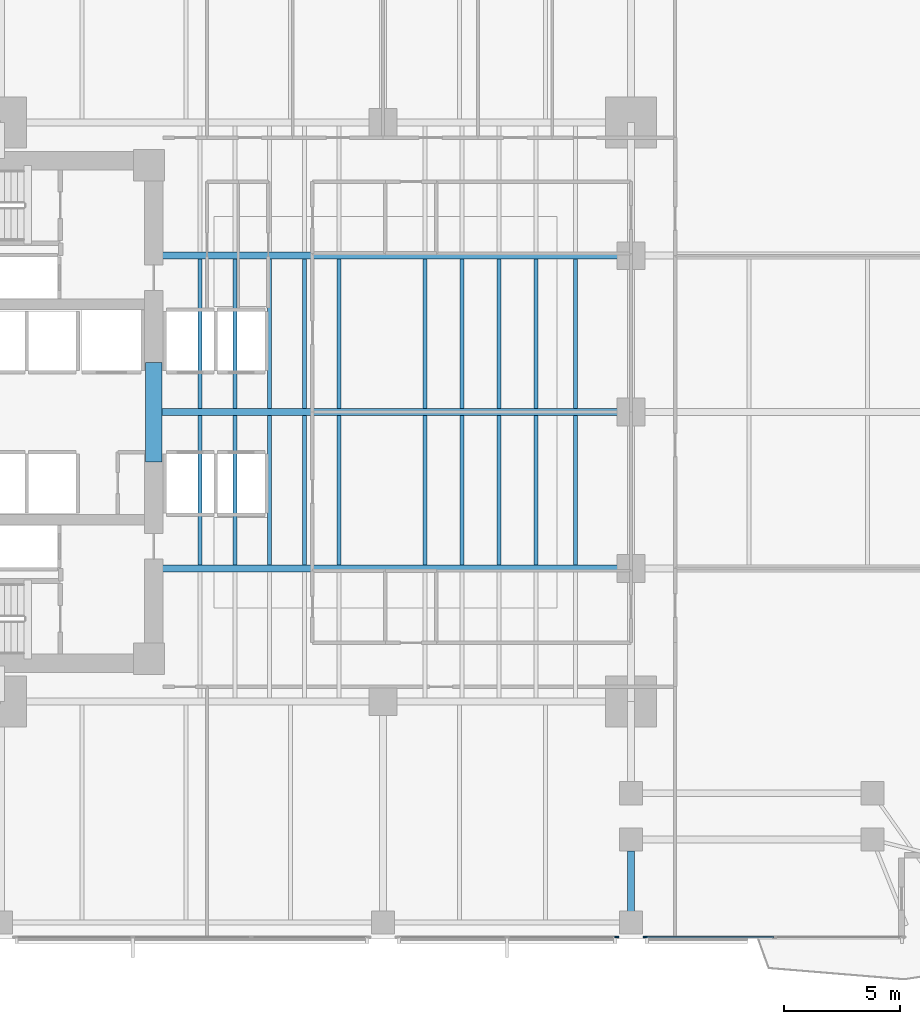
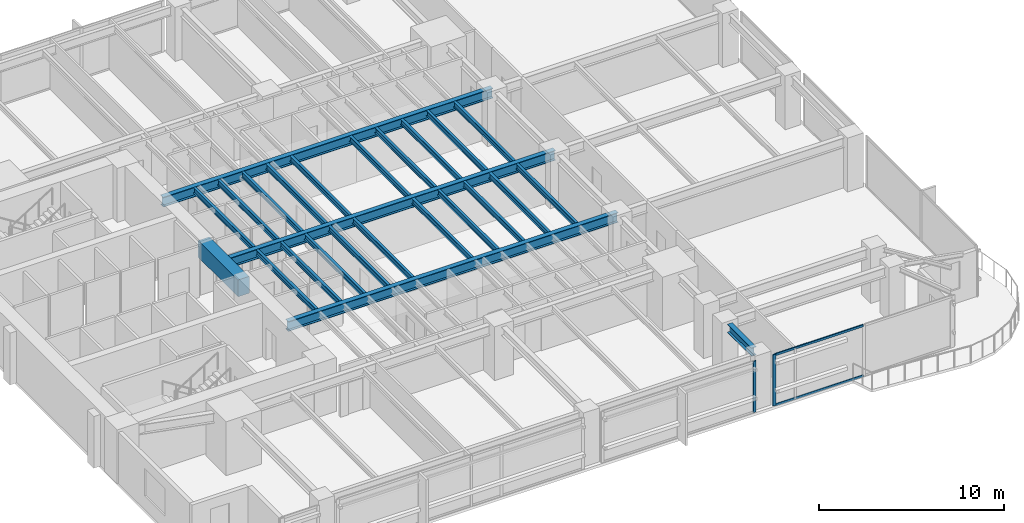
# One storey, part 3 of 15: 25 beams, 4 members, 2 elements without a shape of their own.
"""IFC4 building model written with IfcOpenShell, lengths in metres."""

from ifc_helpers import new_model, si_unit, direction, frame, origin, origin_2d, place, context, subcontext, project, spatial, rectangle, i_section, extrude, material, layer, layer_set, material_profile, profile_set, type_object, element, aggregate, save


model = new_model("IFC4")

# Units and contexts
model_context = context("Model", 3, precision=1e-05, world=origin(), true_north=direction((0.0, 1.0)))
body_context = subcontext(model_context, "Body", "Model", "MODEL_VIEW")
ifc_project = project(units=[si_unit("LENGTHUNIT", "METRE"), si_unit("AREAUNIT", "SQUARE_METRE"), si_unit("VOLUMEUNIT", "CUBIC_METRE"), si_unit("PLANEANGLEUNIT", "RADIAN"), si_unit("MASSUNIT", "GRAM", prefix="KILO")], contexts=[model_context])

# Site, building, storey
site_placement = place(None, origin())
site = spatial("IfcSite", under=ifc_project, at=site_placement, CompositionType="ELEMENT")
building_placement = place(site_placement, origin())
building = spatial("IfcBuilding", under=site, at=building_placement, Name="Kinhvarn Gate Tower", CompositionType="ELEMENT")
storey_placement = place(building_placement, frame((0.0, 0.0, 54.0)))
storey = spatial("IfcBuildingStorey", under=building, at=storey_placement, Name="L13", CompositionType="ELEMENT", Elevation=54.0)

# Beam
ifc_material_1 = material(Name="Concrete C70/85", Category="concrete")
ifc_material_profile_1 = material_profile(ifc_material_1, rectangle(XDim=0.699951171875, YDim=1.10009765625, at=origin_2d()), Name="RC 700x1100")
ifc_profile_set_1 = profile_set([ifc_material_profile_1], Name="Concrete C70/85")
beam_type_1 = type_object("IfcBeamType", Name="BM-CB-1100", PredefinedType="LINTEL", material=ifc_profile_set_1)
beam_1_placement = place(storey_placement, frame((17.60009765625, 23.10009765625, 2.820068359375), z_axis=(0.0, 1.0, 0.0), x_axis=(-1.0, 0.0, 0.0)))
element("IfcBeam", 1, at=beam_1_placement, inside=storey, type_object=beam_type_1, Name="Core East Portal Coupling Beam L13", PredefinedType="LINTEL", context=body_context, shape_type="SweptSolid", body=[
    extrude(rectangle(XDim=0.699951171875, YDim=1.10009765625, at=origin_2d()), origin(), (0.0, 0.0, 1.0), 4.2998046875),
])

# Curtain wall, member
ifc_material_2 = material(Name="Anodised aluminium AW-6063", Category="aluminium")
ifc_layer = layer(ifc_material_2, 0.179931640625)
ifc_layer_set = layer_set([ifc_layer], Name="Anodised aluminium AW-6063")
curtain_wall_type = type_object("IfcCurtainWallType", Name="CW-SYS-2", PredefinedType="NOTDEFINED", material=ifc_layer_set)
curtain_wall_1_placement = place(storey_placement, origin())
curtain_wall_1 = element("IfcCurtainWall", 2, at=curtain_wall_1_placement, inside=storey, type_object=curtain_wall_type, Name="Curtain Wall CW2 (L13)", PredefinedType="NOTDEFINED")
ifc_material_profile_2 = material_profile(ifc_material_2, rectangle(XDim=0.070068359375, YDim=0.179931640625, at=origin_2d()), Name="ALU 70x180")
ifc_profile_set_2 = profile_set([ifc_material_profile_2], Name="Anodised aluminium AW-6063")
member_type_1 = type_object("IfcMemberType", Name="CW-MUL-180", PredefinedType="MULLION", material=ifc_profile_set_2)
member_1_placement = place(storey_placement, frame((37.5849609375, 2.590087890625, 0.0), z_axis=(0.0, 0.0, 1.0), x_axis=(0.0, 1.0, 0.0)))
member_1 = element("IfcMember", 3, at=member_1_placement, type_object=member_type_1, Name="CW2 mullion 3", PredefinedType="MULLION", context=body_context, shape_type="SweptSolid", body=[
    extrude(rectangle(XDim=0.070068359375, YDim=0.179931640625, at=origin_2d()), origin(), (0.0, 0.0, 1.0), 3.3701171875),
])
aggregate(curtain_wall_1, [member_1])

# Curtain wall, members
curtain_wall_2_placement = place(storey_placement, origin())
curtain_wall_2 = element("IfcCurtainWall", 4, at=curtain_wall_2_placement, inside=storey, type_object=curtain_wall_type, Name="Curtain Wall CW2 (L13)", PredefinedType="NOTDEFINED")
member_2_placement = place(storey_placement, frame((38.81494140625, 2.590087890625, 0.0), z_axis=(0.0, 0.0, 1.0), x_axis=(0.0, 1.0, 0.0)))
member_2 = element("IfcMember", 5, at=member_2_placement, type_object=member_type_1, Name="CW2 mullion 1", PredefinedType="MULLION", context=body_context, shape_type="SweptSolid", body=[
    extrude(rectangle(XDim=0.070068359375, YDim=0.179931640625, at=origin_2d()), origin(), (0.0, 0.0, 1.0), 3.3701171875),
])
ifc_material_profile_3 = material_profile(ifc_material_2, rectangle(XDim=0.070068359375, YDim=0.139892578125, at=origin_2d()), Name="ALU 70x140")
ifc_profile_set_3 = profile_set([ifc_material_profile_3], Name="Anodised aluminium AW-6063")
member_type_2 = type_object("IfcMemberType", Name="CW-TRN-140", PredefinedType="USERDEFINED", material=ifc_profile_set_3)
member_3_placement = place(storey_placement, frame((38.85009765625, 2.590087890625, 0.034912109375), z_axis=(1.0, 0.0, 0.0), x_axis=(0.0, 1.0, 0.0)))
member_3 = element("IfcMember", 6, at=member_3_placement, type_object=member_type_2, Name="CW2 transom 1.1", ObjectType="TRANSOM", PredefinedType="USERDEFINED", context=body_context, shape_type="SweptSolid", body=[
    extrude(rectangle(XDim=0.070068359375, YDim=0.139892578125, at=origin_2d()), origin(), (0.0, 0.0, 1.0), 5.5048828125),
])
member_4_placement = place(storey_placement, frame((38.85009765625, 2.590087890625, 3.3349609375), z_axis=(1.0, 0.0, 0.0), x_axis=(0.0, 1.0, 0.0)))
member_4 = element("IfcMember", 7, at=member_4_placement, type_object=member_type_2, Name="CW2 transom 1.2", ObjectType="TRANSOM", PredefinedType="USERDEFINED", context=body_context, shape_type="SweptSolid", body=[
    extrude(rectangle(XDim=0.070068359375, YDim=0.139892578125, at=origin_2d()), origin(), (0.0, 0.0, 1.0), 5.5048828125),
])
aggregate(curtain_wall_2, [member_2, member_3, member_4])

# Beams
ifc_material_3 = material(Name="Steel S355", Category="steel")
ifc_material_profile_4 = material_profile(ifc_material_3, i_section(OverallWidth=0.300048828125, OverallDepth=0.550048828125, WebThickness=0.014892578125, FlangeThickness=0.029052734375, at=origin_2d()), Name="HEB 550")
ifc_profile_set_4 = profile_set([ifc_material_profile_4], Name="Steel S355")
beam_type_2 = type_object("IfcBeamType", Name="STL-HEB550", PredefinedType="BEAM", material=ifc_profile_set_4)
beam_2_placement = place(storey_placement, frame((38.199951171875, 3.705078125, 3.094970703125), z_axis=(0.0, 1.0, 0.0), x_axis=(-1.0, 0.0, 0.0)))
element("IfcBeam", 8, at=beam_2_placement, inside=storey, type_object=beam_type_2, Name="Floor Beam PG-15 (L13 MCE-S-A0)", PredefinedType="BEAM", context=body_context, shape_type="SweptSolid", body=[
    extrude(i_section(OverallWidth=0.300048828125, OverallDepth=0.550048828125, WebThickness=0.014892578125, FlangeThickness=0.029052734375, at=origin_2d()), origin(), (0.0, 0.0, 1.0), 2.60986328125),
])
ifc_material_profile_5 = material_profile(ifc_material_3, i_section(OverallWidth=0.300048828125, OverallDepth=0.64990234375, WebThickness=0.01611328125, FlangeThickness=0.031005859375, at=origin_2d()), Name="HEB 650")
ifc_profile_set_5 = profile_set([ifc_material_profile_5], Name="Steel S355")
beam_type_3 = type_object("IfcBeamType", Name="STL-HEB650", PredefinedType="BEAM", material=ifc_profile_set_5)
beam_3_placement = place(storey_placement, frame((17.64990234375, 18.5, 3.044921875), z_axis=(1.0, 0.0, 0.0), x_axis=(0.0, 1.0, 0.0)))
element("IfcBeam", 9, at=beam_3_placement, inside=storey, type_object=beam_type_3, Name="Floor Beam PG-17 (L13 EW1-Y18)", PredefinedType="BEAM", context=body_context, shape_type="SweptSolid", body=[
    extrude(i_section(OverallWidth=0.300048828125, OverallDepth=0.64990234375, WebThickness=0.01611328125, FlangeThickness=0.031005859375, at=origin_2d()), origin(), (0.0, 0.0, 1.0), 20.550048828125),
])
beam_4_placement = place(storey_placement, frame((17.949951171875, 25.25, 3.044921875), z_axis=(1.0, 0.0, 0.0), x_axis=(0.0, 1.0, 0.0)))
element("IfcBeam", 10, at=beam_4_placement, inside=storey, type_object=beam_type_3, Name="Floor Beam PG-17 (L13 EW1-Y25)", PredefinedType="BEAM", context=body_context, shape_type="SweptSolid", body=[
    extrude(i_section(OverallWidth=0.300048828125, OverallDepth=0.64990234375, WebThickness=0.01611328125, FlangeThickness=0.031005859375, at=origin_2d()), origin(), (0.0, 0.0, 1.0), 20.25),
])
beam_5_placement = place(storey_placement, frame((17.64990234375, 32.0, 3.044921875), z_axis=(1.0, 0.0, 0.0), x_axis=(0.0, 1.0, 0.0)))
element("IfcBeam", 11, at=beam_5_placement, inside=storey, type_object=beam_type_3, Name="Floor Beam PG-17 (L13 EW1-Y32)", PredefinedType="BEAM", context=body_context, shape_type="SweptSolid", body=[
    extrude(i_section(OverallWidth=0.300048828125, OverallDepth=0.64990234375, WebThickness=0.01611328125, FlangeThickness=0.031005859375, at=origin_2d()), origin(), (0.0, 0.0, 1.0), 20.550048828125),
])
ifc_material_profile_6 = material_profile(ifc_material_3, i_section(OverallWidth=0.169921875, OverallDepth=0.360107421875, WebThickness=0.008056640625, FlangeThickness=0.0126953125, at=origin_2d()), Name="IPE 360")
ifc_profile_set_6 = profile_set([ifc_material_profile_6], Name="Steel S355")
beam_type_4 = type_object("IfcBeamType", Name="STL-IPE360", PredefinedType="JOIST", material=ifc_profile_set_6)
for number, where, z_axis, x_axis, name in (
    (12, (19.60009765625, 18.64990234375, 3.18994140625), (0.0, 1.0, 0.0), (-1.0, 0.0, 0.0), "Floor Joist SB-04 (L13 JC-X196-1)"),
    (13, (19.60009765625, 25.39990234375, 3.18994140625), (0.0, 1.0, 0.0), (-1.0, 0.0, 0.0), "Floor Joist SB-04 (L13 JC-X196-2)"),
    (14, (21.10009765625, 18.64990234375, 3.18994140625), (0.0, 1.0, 0.0), (-1.0, 0.0, 0.0), "Floor Joist SB-04 (L13 JC-X211-1)"),
    (15, (21.10009765625, 25.39990234375, 3.18994140625), (0.0, 1.0, 0.0), (-1.0, 0.0, 0.0), "Floor Joist SB-04 (L13 JC-X211-2)"),
    (16, (22.60009765625, 18.64990234375, 3.18994140625), (0.0, 1.0, 0.0), (-1.0, 0.0, 0.0), "Floor Joist SB-04 (L13 JC-X226-1)"),
    (17, (22.60009765625, 25.39990234375, 3.18994140625), (0.0, 1.0, 0.0), (-1.0, 0.0, 0.0), "Floor Joist SB-04 (L13 JC-X226-2)"),
    (18, (24.10009765625, 18.64990234375, 3.18994140625), (0.0, 1.0, 0.0), (-1.0, 0.0, 0.0), "Floor Joist SB-04 (L13 JC-X241-1)"),
    (19, (24.10009765625, 25.39990234375, 3.18994140625), (0.0, 1.0, 0.0), (-1.0, 0.0, 0.0), "Floor Joist SB-04 (L13 JC-X241-2)"),
    (20, (25.60009765625, 18.64990234375, 3.18994140625), (0.0, 1.0, 0.0), (-1.0, 0.0, 0.0), "Floor Joist SB-04 (L13 JC-X256-1)"),
    (21, (25.60009765625, 25.39990234375, 3.18994140625), (0.0, 1.0, 0.0), (-1.0, 0.0, 0.0), "Floor Joist SB-04 (L13 JC-X256-2)"),
    (22, (29.300048828125, 18.64990234375, 3.18994140625), (0.0, 1.0, 0.0), (-1.0, 0.0, 0.0), "Floor Joist SB-04 (L13 JC-X293-1)"),
    (23, (29.300048828125, 25.39990234375, 3.18994140625), (0.0, 1.0, 0.0), (-1.0, 0.0, 0.0), "Floor Joist SB-04 (L13 JC-X293-2)"),
    (24, (30.89990234375, 18.64990234375, 3.18994140625), (0.0, 1.0, 0.0), (-1.0, 0.0, 0.0), "Floor Joist SB-04 (L13 JC-X309-1)"),
    (25, (30.89990234375, 25.39990234375, 3.18994140625), (0.0, 1.0, 0.0), (-1.0, 0.0, 0.0), "Floor Joist SB-04 (L13 JC-X309-2)"),
    (26, (32.5, 18.64990234375, 3.18994140625), (0.0, 1.0, 0.0), (-1.0, 0.0, 0.0), "Floor Joist SB-04 (L13 JC-X325-1)"),
    (27, (32.5, 25.39990234375, 3.18994140625), (0.0, 1.0, 0.0), (-1.0, 0.0, 0.0), "Floor Joist SB-04 (L13 JC-X325-2)"),
    (28, (34.10009765625, 18.64990234375, 3.18994140625), (0.0, 1.0, 0.0), (-1.0, 0.0, 0.0), "Floor Joist SB-04 (L13 JC-X341-1)"),
    (29, (34.10009765625, 25.39990234375, 3.18994140625), (0.0, 1.0, 0.0), (-1.0, 0.0, 0.0), "Floor Joist SB-04 (L13 JC-X341-2)"),
    (30, (35.800048828125, 18.64990234375, 3.18994140625), (0.0, 1.0, 0.0), (-1.0, 0.0, 0.0), "Floor Joist SB-04 (L13 JC-X358-1)"),
    (31, (35.800048828125, 25.39990234375, 3.18994140625), (0.0, 1.0, 0.0), (-1.0, 0.0, 0.0), "Floor Joist SB-04 (L13 JC-X358-2)"),
):
    element("IfcBeam", number, at=place(storey_placement, frame(where, z_axis=z_axis, x_axis=x_axis)), inside=storey, type_object=beam_type_4, Name=name, PredefinedType="JOIST", context=body_context, shape_type="SweptSolid", body=[
        extrude(i_section(OverallWidth=0.169921875, OverallDepth=0.360107421875, WebThickness=0.008056640625, FlangeThickness=0.0126953125, at=origin_2d()), origin(), (0.0, 0.0, 1.0), 6.4501953125),
    ])

save(model, "model.ifc")
